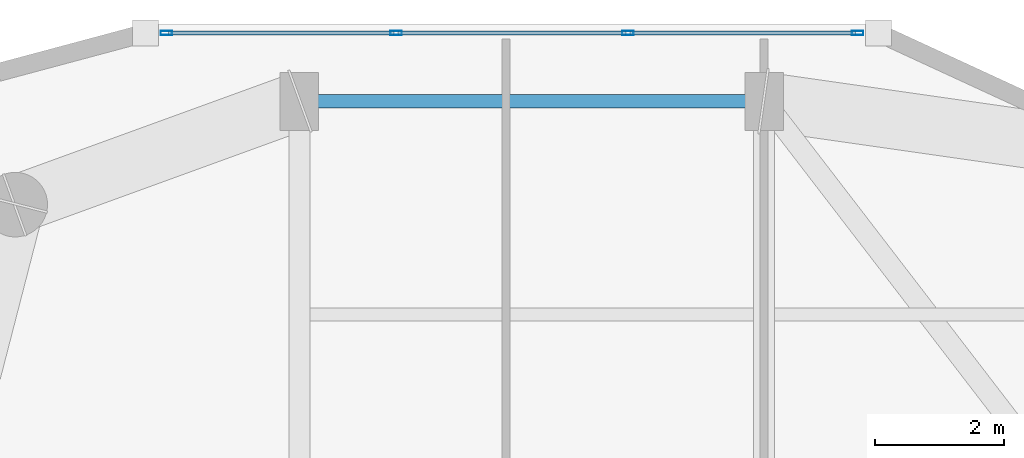
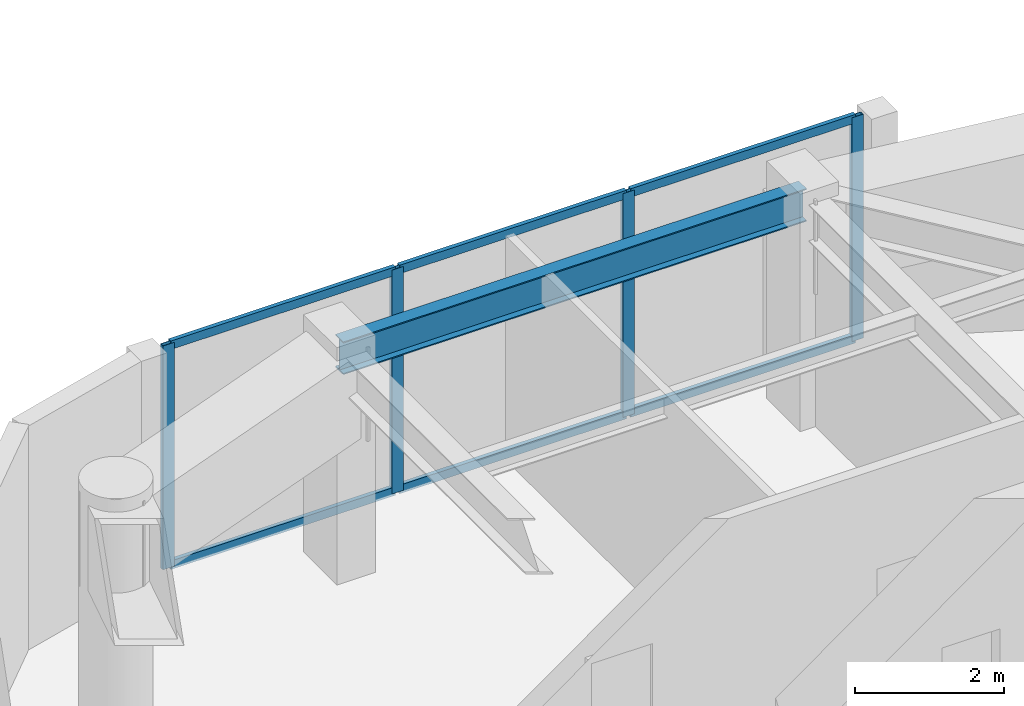
# One storey, part 6 of 16: 10 members, 1 beam, 1 element without a shape of its own.
"""IFC4 building model written with IfcOpenShell, lengths in metres."""

import ifcopenshell
import ifcopenshell.guid

model = None  # the IFC model being written
_history = None  # IfcOwnerHistory: only IFC2X3 demands one
_inside = {}  # id of a spatial element -> (the spatial element, [elements in it])
_under = {}  # id of a project, library or spatial element -> (it, [spatial elements below it])
_declared = {}  # id of a project -> (the project, [libraries it declares])
_typed = {}  # id of a type object -> (the type object, [elements of that type])
_made_of = {}  # id of a material, layer set ... -> (it, [elements and type objects made of it])


def new_model(schema):
    """Start an empty IFC model of exactly this schema.

    Asked for "IFC4X3", IfcOpenShell would pick the latest addendum, in which some entities
    have other attributes; the version numbers below select the first issue.
    IFC2X3 requires an IfcOwnerHistory on every rooted entity: one is made here for all.
    """
    global model, _history
    if schema == "IFC4X3":
        model = ifcopenshell.file(schema_version=(4, 3, 0, 0))
    else:
        model = ifcopenshell.file(schema=schema)
    _inside.clear()
    _under.clear()
    _declared.clear()
    _typed.clear()
    _made_of.clear()
    _history = None
    if model.schema == "IFC2X3":
        org = make("IfcOrganization", Name="unknown")
        user = make(
            "IfcPersonAndOrganization",
            ThePerson=make("IfcPerson", FamilyName="unknown"),
            TheOrganization=org,
        )
        app = make(
            "IfcApplication",
            ApplicationDeveloper=org,
            Version="unknown",
            ApplicationFullName="unknown",
            ApplicationIdentifier="unknown",
        )
        _history = make(
            "IfcOwnerHistory",
            OwningUser=user,
            OwningApplication=app,
            ChangeAction="ADDED",
            CreationDate=0,
        )
    return model


def make(cls, **values):
    """One entity of the class cls with the attributes given. An attribute that is None is left unset."""
    return model.create_entity(
        cls, **{name: value for name, value in values.items() if value is not None}
    )


def rooted(cls, **values):
    """An entity with a GlobalId (a new one), such as an element, a storey or a relation."""
    return make(cls, GlobalId=ifcopenshell.guid.new(), OwnerHistory=_history, **values)


def si_unit(unit_type, name, prefix=None):
    """IfcSIUnit, for example si_unit("LENGTHUNIT", "METRE", prefix="MILLI")."""
    return make("IfcSIUnit", UnitType=unit_type, Prefix=prefix, Name=name)


def assignment(units):
    """IfcUnitAssignment: the units of a project."""
    return None if units is None else make("IfcUnitAssignment", Units=units)


def point(xyz):
    """IfcCartesianPoint."""
    return None if xyz is None else make("IfcCartesianPoint", Coordinates=xyz)


def direction(xyz):
    """IfcDirection."""
    return None if xyz is None else make("IfcDirection", DirectionRatios=xyz)


def frame(location, z_axis=None, x_axis=None):
    """IfcAxis2Placement3D, a coordinate frame: its origin and axes. An axis left out is left unset."""
    return make(
        "IfcAxis2Placement3D",
        Location=point(location),
        Axis=direction(z_axis),
        RefDirection=direction(x_axis),
    )


def frame_2d(location, x_axis=None):
    """IfcAxis2Placement2D, a coordinate frame in the plane: its origin and x axis."""
    return make(
        "IfcAxis2Placement2D", Location=point(location), RefDirection=direction(x_axis)
    )


def origin():
    """The frame at (0, 0, 0) with its axes left unset."""
    return frame((0.0, 0.0, 0.0))


def origin_2d():
    """The frame at (0, 0) in the plane with its x axis left unset."""
    return frame_2d((0.0, 0.0))


def place(relative_to, where):
    """IfcLocalPlacement: puts the frame where relative to a parent placement (None: the world)."""
    return make(
        "IfcLocalPlacement", PlacementRelTo=relative_to, RelativePlacement=where
    )


def context(
    kind, dimensions, precision=None, world=None, true_north=None, identifier=None
):
    """IfcGeometricRepresentationContext, for example the 3D "Model" context."""
    return make(
        "IfcGeometricRepresentationContext",
        ContextIdentifier=identifier,
        ContextType=kind,
        CoordinateSpaceDimension=dimensions,
        Precision=precision,
        WorldCoordinateSystem=world,
        TrueNorth=true_north,
    )


def subcontext(parent, identifier, kind, view, scale=None):
    """IfcGeometricRepresentationSubContext, for example "Body" below "Model"."""
    return make(
        "IfcGeometricRepresentationSubContext",
        ContextIdentifier=identifier,
        ContextType=kind,
        ParentContext=parent,
        TargetScale=scale,
        TargetView=view,
    )


def project(units=None, contexts=None):
    """IfcProject with its units and contexts."""
    return rooted(
        "IfcProject",
        Name="project",
        RepresentationContexts=contexts,
        UnitsInContext=assignment(units),
    )


def spatial(cls, under=None, at=None, **own):
    """A site, building, storey or space (cls), placed at a placement, below another one or the project."""
    s = rooted(cls, ObjectPlacement=at, **own)
    if under is not None:
        _under.setdefault(under.id(), (under, []))[1].append(s)
    return s


def profile(cls, at=None, kind="AREA", **sizes):
    """A parametric profile (cls). Its sizes go by their IFC names, for example OverallWidth=200.0."""
    return make(cls, ProfileType=kind, Position=at, **sizes)


def hollow_rectangle(**sizes):
    """IfcRectangleHollowProfileDef."""
    return profile("IfcRectangleHollowProfileDef", **sizes)


def i_section(**sizes):
    """IfcIShapeProfileDef."""
    return profile("IfcIShapeProfileDef", **sizes)


def extrude(swept, where, along, depth):
    """IfcExtrudedAreaSolid: the profile swept, set in the frame where, extruded along a direction by depth."""
    return make(
        "IfcExtrudedAreaSolid",
        SweptArea=swept,
        Position=where,
        ExtrudedDirection=direction(along),
        Depth=depth,
    )


def shape(context_of_items, identifier, shape_type, items):
    """IfcShapeRepresentation: the items that make up one representation, for example the "Body"."""
    return make(
        "IfcShapeRepresentation",
        ContextOfItems=context_of_items,
        RepresentationIdentifier=identifier,
        RepresentationType=shape_type,
        Items=items,
    )


def material(Name=None, Category=None):
    """IfcMaterial."""
    return make("IfcMaterial", Name=Name, Category=Category)


def layer(
    of_material, thickness, ventilated=None, Name=None, Category=None, Priority=None
):
    """IfcMaterialLayer: one layer of a wall or slab, of a material (None: an air gap)."""
    return make(
        "IfcMaterialLayer",
        Material=of_material,
        LayerThickness=thickness,
        IsVentilated=ventilated,
        Name=Name,
        Category=Category,
        Priority=Priority,
    )


def layer_set(layers, Name=None):
    """IfcMaterialLayerSet."""
    return make("IfcMaterialLayerSet", MaterialLayers=layers, LayerSetName=Name)


def material_profile(
    of_material, cross_section, Name=None, Category=None, Priority=None
):
    """IfcMaterialProfile: a cross section and its material."""
    return make(
        "IfcMaterialProfile",
        Name=Name,
        Material=of_material,
        Profile=cross_section,
        Priority=Priority,
        Category=Category,
    )


def profile_set(profiles, Name=None, composite=None):
    """IfcMaterialProfileSet."""
    return make(
        "IfcMaterialProfileSet",
        Name=Name,
        MaterialProfiles=profiles,
        CompositeProfile=composite,
    )


def made_of(thing, what):
    """Note that an element or type object is made of a material, layer set ...; save() writes the relation."""
    if what is not None:
        _made_of.setdefault(what.id(), (what, []))[1].append(thing)
    return thing


def type_object(cls, material=None, **own):
    """A type object (cls), such as IfcWallType, which elements share."""
    return made_of(rooted(cls, **own), material)


def element(
    cls,
    number,
    at=None,
    inside=None,
    cuts=None,
    type_object=None,
    material=None,
    context=None,
    identifier="Body",
    shape_type=None,
    held_by="IfcProductDefinitionShape",
    body=None,
    shapes=None,
    **own,
):
    """One element of the class cls, such as IfcWall. Its Tag is "e" and its number.

    at: its placement. inside: the storey or other place that contains it. cuts: it is an
    opening in that element (IfcRelVoidsElement). A single representation is given by context,
    identifier, shape_type and body (its items); several are given by shapes. held_by: the class
    of the entity that holds the representations. save() writes the other relations.
    """
    e = rooted(cls, Tag="e%d" % number, ObjectPlacement=at, **own)
    if body is not None:
        shapes = [shape(context, identifier, shape_type, body)]
    if shapes is not None:
        e.Representation = make(held_by, Representations=shapes)
    if inside is not None:
        _inside.setdefault(inside.id(), (inside, []))[1].append(e)
    if cuts is not None:
        rooted(
            "IfcRelVoidsElement", RelatingBuildingElement=cuts, RelatedOpeningElement=e
        )
    if type_object is not None:
        _typed.setdefault(type_object.id(), (type_object, []))[1].append(e)
    return made_of(e, material)


def aggregate(whole, parts):
    """IfcRelAggregates: a whole, such as a stair, and the parts it consists of."""
    return rooted("IfcRelAggregates", RelatingObject=whole, RelatedObjects=parts)


def save(model, path):
    """Write the relations noted so far, then the file.

    IfcRelAggregates (storeys below a building ...), IfcRelContainedInSpatialStructure (elements
    in a storey), IfcRelDefinesByType, IfcRelAssociatesMaterial and IfcRelDeclares: one each for
    every whole, place, type object, material and project.
    """
    for whole, parts in _under.values():
        aggregate(whole, parts)
    for where, things in _inside.values():
        rooted(
            "IfcRelContainedInSpatialStructure",
            RelatedElements=things,
            RelatingStructure=where,
        )
    for kind, things in _typed.values():
        rooted("IfcRelDefinesByType", RelatedObjects=things, RelatingType=kind)
    for what, things in _made_of.values():
        rooted("IfcRelAssociatesMaterial", RelatedObjects=things, RelatingMaterial=what)
    for by, libraries in _declared.values():
        rooted("IfcRelDeclares", RelatingContext=by, RelatedDefinitions=libraries)
    model.write(path)


model = new_model("IFC4")

# Units and contexts
model_context = context("Model", 3, precision=1e-05, world=origin(), true_north=direction((0.0, 1.0)))
body_context = subcontext(model_context, "Body", "Model", "MODEL_VIEW")
ifc_project = project(units=[si_unit("LENGTHUNIT", "METRE"), si_unit("AREAUNIT", "SQUARE_METRE"), si_unit("VOLUMEUNIT", "CUBIC_METRE"), si_unit("PLANEANGLEUNIT", "RADIAN"), si_unit("MASSUNIT", "GRAM", prefix="KILO")], contexts=[model_context])

# Site, building, storey
site_placement = place(None, origin())
site = spatial("IfcSite", under=ifc_project, at=site_placement, CompositionType="ELEMENT")
building_placement = place(site_placement, origin())
building = spatial("IfcBuilding", under=site, at=building_placement, Name="Kiyonajd Concourse Tower", CompositionType="ELEMENT")
storey_placement = place(building_placement, frame((0.0, 0.0, 306.300048828125)))
storey = spatial("IfcBuildingStorey", under=building, at=storey_placement, Name="L77", CompositionType="ELEMENT", Elevation=306.300048828125)

# Beam
ifc_material_1 = material(Name="Steel ASTM A992 Grade 50", Category="steel")
ifc_material_profile_1 = material_profile(ifc_material_1, i_section(OverallWidth=0.2109375, OverallDepth=0.5390625, WebThickness=0.01171875, FlangeThickness=0.018798828125, at=origin_2d()), Name="W530X109")
ifc_profile_set_1 = profile_set([ifc_material_profile_1], Name="Steel ASTM A992 Grade 50")
beam_type = type_object("IfcBeamType", Name="BM-SPAN-530B", PredefinedType="SPANDREL", material=ifc_profile_set_1)
beam_placement = place(storey_placement, frame((39.60009765625, 52.199951171875, 3.410400390625), z_axis=(-1.0, 0.0, 0.0), x_axis=(0.0, -1.0, 0.0)))
element("IfcBeam", 1, at=beam_placement, inside=storey, type_object=beam_type, Name="L77 Perimeter Bundled Tube Spandrel", PredefinedType="SPANDREL", context=body_context, shape_type="SweptSolid", body=[
    extrude(i_section(OverallWidth=0.2109375, OverallDepth=0.5390625, WebThickness=0.01171875, FlangeThickness=0.018798828125, at=origin_2d()), origin(), (0.0, 0.0, 1.0), 7.2001953125),
])

# Curtain wall, members
ifc_material_2 = material(Name="Thermally Broken Anodised Aluminium", Category="aluminium")
ifc_layer = layer(ifc_material_2, 0.179931640625)
ifc_layer_set = layer_set([ifc_layer], Name="Thermally Broken Anodised Aluminium")
curtain_wall_type = type_object("IfcCurtainWallType", Name="CW-SYS-04", PredefinedType="NOTDEFINED", material=ifc_layer_set)
curtain_wall_placement = place(storey_placement, origin())
curtain_wall = element("IfcCurtainWall", 2, at=curtain_wall_placement, inside=storey, type_object=curtain_wall_type, Name="L77 Unitised Curtain Wall CW4", PredefinedType="NOTDEFINED")
ifc_material_profile_2 = material_profile(ifc_material_2, hollow_rectangle(XDim=0.06494140625, YDim=0.179931640625, WallThickness=0.00390625, at=origin_2d()), Name="MULL-65x180")
ifc_profile_set_2 = profile_set([ifc_material_profile_2], Name="Thermally Broken Anodised Aluminium")
member_type_1 = type_object("IfcMemberType", Name="MB-CW-MULL1", PredefinedType="MULLION", material=ifc_profile_set_2)
member_1_placement = place(storey_placement, frame((30.3408203125, 53.260009765625, 0.0), z_axis=(0.0, 0.0, 1.0), x_axis=(0.0, 1.0, 0.0)))
member_1 = element("IfcMember", 3, at=member_1_placement, type_object=member_type_1, Name="CW4 mullion 1", PredefinedType="MULLION", context=body_context, shape_type="SweptSolid", body=[
    extrude(hollow_rectangle(XDim=0.06494140625, YDim=0.179931640625, WallThickness=0.00390625, at=origin_2d()), origin(), (0.0, 0.0, 1.0), 3.679931640625),
])
member_2_placement = place(storey_placement, frame((33.898681640625, 53.260009765625, 0.0), z_axis=(0.0, 0.0, 1.0), x_axis=(0.0, 1.0, 0.0)))
member_2 = element("IfcMember", 4, at=member_2_placement, type_object=member_type_1, Name="CW4 mullion 2", PredefinedType="MULLION", context=body_context, shape_type="SweptSolid", body=[
    extrude(hollow_rectangle(XDim=0.06494140625, YDim=0.179931640625, WallThickness=0.00390625, at=origin_2d()), origin(), (0.0, 0.0, 1.0), 3.679931640625),
])
member_3_placement = place(storey_placement, frame((37.489013671875, 53.260009765625, 0.0), z_axis=(0.0, 0.0, 1.0), x_axis=(0.0, 1.0, 0.0)))
member_3 = element("IfcMember", 5, at=member_3_placement, type_object=member_type_1, Name="CW4 mullion 3", PredefinedType="MULLION", context=body_context, shape_type="SweptSolid", body=[
    extrude(hollow_rectangle(XDim=0.06494140625, YDim=0.179931640625, WallThickness=0.00390625, at=origin_2d()), origin(), (0.0, 0.0, 1.0), 3.679931640625),
])
member_4_placement = place(storey_placement, frame((41.046875, 53.260009765625, 0.0), z_axis=(0.0, 0.0, 1.0), x_axis=(0.0, 1.0, 0.0)))
member_4 = element("IfcMember", 6, at=member_4_placement, type_object=member_type_1, Name="CW4 mullion 4", PredefinedType="MULLION", context=body_context, shape_type="SweptSolid", body=[
    extrude(hollow_rectangle(XDim=0.06494140625, YDim=0.179931640625, WallThickness=0.00390625, at=origin_2d()), origin(), (0.0, 0.0, 1.0), 3.679931640625),
])
ifc_material_profile_3 = material_profile(ifc_material_2, hollow_rectangle(XDim=0.06494140625, YDim=0.139892578125, WallThickness=0.00390625, at=origin_2d()), Name="TRAN-65x140")
ifc_profile_set_3 = profile_set([ifc_material_profile_3], Name="Thermally Broken Anodised Aluminium")
member_type_2 = type_object("IfcMemberType", Name="MB-CW-TRAN1", PredefinedType="USERDEFINED", material=ifc_profile_set_3)
member_5_placement = place(storey_placement, frame((30.373291015625, 53.260009765625, 0.032470703125), z_axis=(1.0, 0.0, 0.0), x_axis=(0.0, 1.0, 0.0)))
member_5 = element("IfcMember", 7, at=member_5_placement, type_object=member_type_2, Name="CW4 transom 1.1", ObjectType="TRANSOM", PredefinedType="USERDEFINED", context=body_context, shape_type="SweptSolid", body=[
    extrude(hollow_rectangle(XDim=0.06494140625, YDim=0.139892578125, WallThickness=0.00390625, at=origin_2d()), origin(), (0.0, 0.0, 1.0), 3.492919921875),
])
member_6_placement = place(storey_placement, frame((30.373291015625, 53.260009765625, 3.6474609375), z_axis=(1.0, 0.0, 0.0), x_axis=(0.0, 1.0, 0.0)))
member_6 = element("IfcMember", 8, at=member_6_placement, type_object=member_type_2, Name="CW4 transom 1.2", ObjectType="TRANSOM", PredefinedType="USERDEFINED", context=body_context, shape_type="SweptSolid", body=[
    extrude(hollow_rectangle(XDim=0.06494140625, YDim=0.139892578125, WallThickness=0.00390625, at=origin_2d()), origin(), (0.0, 0.0, 1.0), 3.492919921875),
])
member_7_placement = place(storey_placement, frame((33.93115234375, 53.260009765625, 0.032470703125), z_axis=(1.0, 0.0, 0.0), x_axis=(0.0, 1.0, 0.0)))
member_7 = element("IfcMember", 9, at=member_7_placement, type_object=member_type_2, Name="CW4 transom 2.1", ObjectType="TRANSOM", PredefinedType="USERDEFINED", context=body_context, shape_type="SweptSolid", body=[
    extrude(hollow_rectangle(XDim=0.06494140625, YDim=0.139892578125, WallThickness=0.00390625, at=origin_2d()), origin(), (0.0, 0.0, 1.0), 3.525390625),
])
member_8_placement = place(storey_placement, frame((33.93115234375, 53.260009765625, 3.6474609375), z_axis=(1.0, 0.0, 0.0), x_axis=(0.0, 1.0, 0.0)))
member_8 = element("IfcMember", 10, at=member_8_placement, type_object=member_type_2, Name="CW4 transom 2.2", ObjectType="TRANSOM", PredefinedType="USERDEFINED", context=body_context, shape_type="SweptSolid", body=[
    extrude(hollow_rectangle(XDim=0.06494140625, YDim=0.139892578125, WallThickness=0.00390625, at=origin_2d()), origin(), (0.0, 0.0, 1.0), 3.525390625),
])
member_9_placement = place(storey_placement, frame((37.521484375, 53.260009765625, 0.032470703125), z_axis=(1.0, 0.0, 0.0), x_axis=(0.0, 1.0, 0.0)))
member_9 = element("IfcMember", 11, at=member_9_placement, type_object=member_type_2, Name="CW4 transom 3.1", ObjectType="TRANSOM", PredefinedType="USERDEFINED", context=body_context, shape_type="SweptSolid", body=[
    extrude(hollow_rectangle(XDim=0.06494140625, YDim=0.139892578125, WallThickness=0.00390625, at=origin_2d()), origin(), (0.0, 0.0, 1.0), 3.492919921875),
])
member_10_placement = place(storey_placement, frame((37.521484375, 53.260009765625, 3.6474609375), z_axis=(1.0, 0.0, 0.0), x_axis=(0.0, 1.0, 0.0)))
member_10 = element("IfcMember", 12, at=member_10_placement, type_object=member_type_2, Name="CW4 transom 3.2", ObjectType="TRANSOM", PredefinedType="USERDEFINED", context=body_context, shape_type="SweptSolid", body=[
    extrude(hollow_rectangle(XDim=0.06494140625, YDim=0.139892578125, WallThickness=0.00390625, at=origin_2d()), origin(), (0.0, 0.0, 1.0), 3.492919921875),
])
aggregate(curtain_wall, [member_1, member_2, member_3, member_4, member_5, member_6, member_7, member_8, member_9, member_10])

save(model, "model.ifc")
